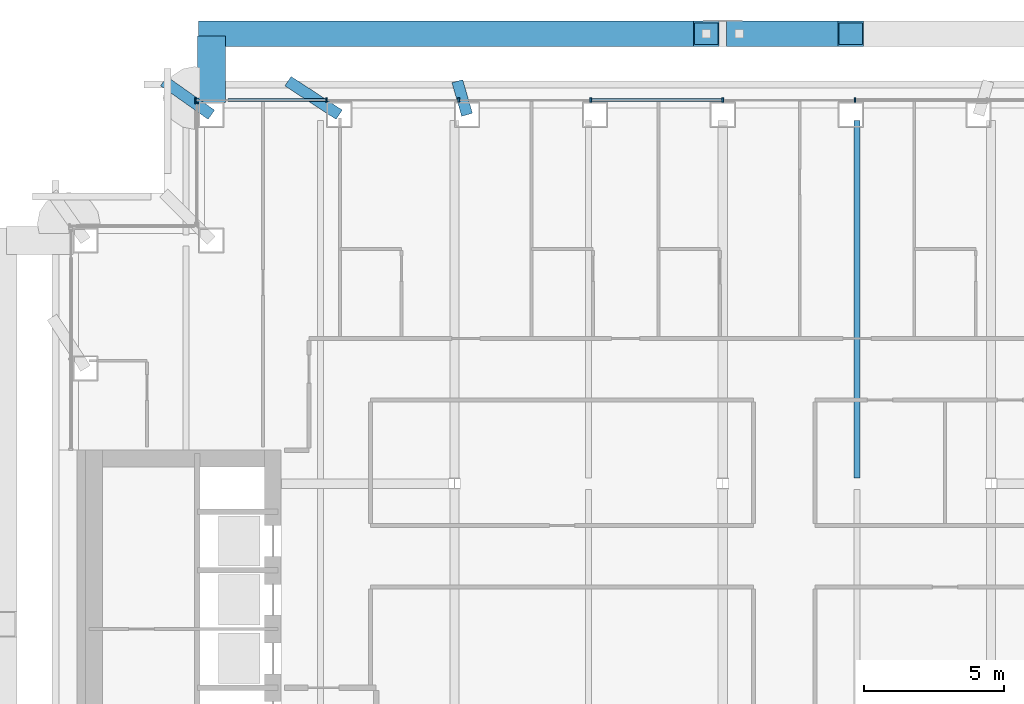
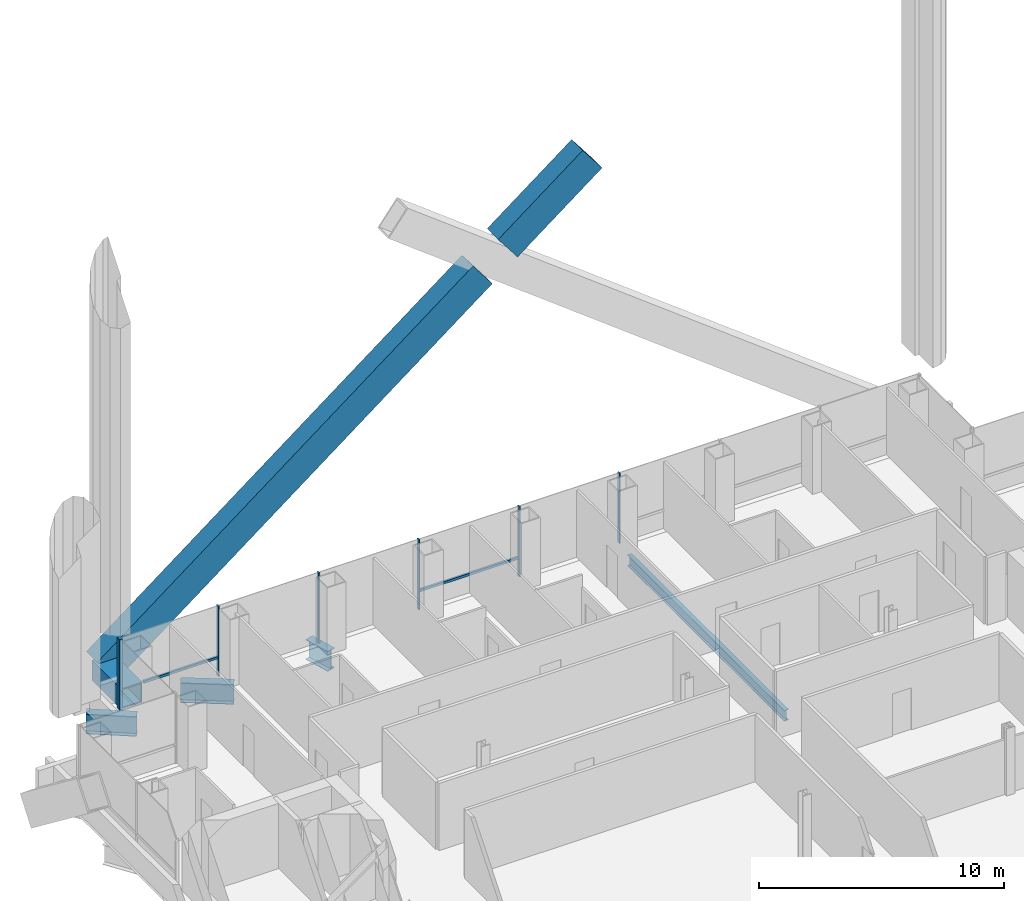
# One storey, part 8 of 22: 11 members, 5 beams, 2 elements without a shape of their own.
"""IFC4 building model written with IfcOpenShell, lengths in metres."""

from ifc_helpers import new_model, si_unit, direction, frame, origin, origin_2d, place, context, subcontext, project, spatial, rectangle, hollow_rectangle, i_section, extrude, material, material_profile, profile_set, type_object, element, aggregate, save


model = new_model("IFC4")

# Units and contexts
model_context = context("Model", 3, precision=1e-05, world=origin(), true_north=direction((0.0, 1.0)))
body_context = subcontext(model_context, "Body", "Model", "MODEL_VIEW")
ifc_project = project(units=[si_unit("LENGTHUNIT", "METRE"), si_unit("AREAUNIT", "SQUARE_METRE"), si_unit("VOLUMEUNIT", "CUBIC_METRE"), si_unit("PLANEANGLEUNIT", "RADIAN"), si_unit("MASSUNIT", "GRAM", prefix="KILO")], contexts=[model_context])

# Site, building, storey
site_placement = place(None, origin())
site = spatial("IfcSite", under=ifc_project, at=site_placement, CompositionType="ELEMENT")
building_placement = place(site_placement, origin())
building = spatial("IfcBuilding", under=site, at=building_placement, Name="Cobrizo Arcos Hotel Tower", CompositionType="ELEMENT")
storey_placement = place(building_placement, frame((0.0, 0.0, 89.0)))
storey = spatial("IfcBuildingStorey", under=building, at=storey_placement, Name="L21", CompositionType="ELEMENT", Elevation=89.0)

# Beam
ifc_material_1 = material(Name="Steel ASTM A572 Grade 50", Category="steel")
ifc_material_profile_1 = material_profile(ifc_material_1, hollow_rectangle(XDim=1.0, YDim=1.0, WallThickness=0.06005859375, at=origin_2d()), Name="BOX 1000X1000X60")
ifc_profile_set_1 = profile_set([ifc_material_profile_1], Name="Steel ASTM A572 Grade 50")
beam_type_1 = type_object("IfcBeamType", Name="BOX 1000X1000X60 brace connector strut", PredefinedType="BEAM", material=ifc_profile_set_1)
beam_1_placement = place(storey_placement, frame((-18.300048828125, 23.239990234375, 0.5), z_axis=(0.0, 1.0, 0.0), x_axis=(-1.0, 0.0, 0.0)))
element("IfcBeam", 1, at=beam_1_placement, inside=storey, type_object=beam_type_1, Name="Perimeter brace stub BS1, zone Z2, north face, offset -18.30 m, L21", PredefinedType="BEAM", context=body_context, shape_type="SweptSolid", body=[
    extrude(hollow_rectangle(XDim=1.0, YDim=1.0, WallThickness=0.06005859375, at=origin_2d()), origin(), (0.0, 0.0, 1.0), 2.380126953125),
])

# Members
ifc_material_profile_2 = material_profile(ifc_material_1, hollow_rectangle(XDim=0.89990234375, YDim=1.5, WallThickness=0.06494140625, at=origin_2d()), Name="BOX 900X1500X65")
ifc_profile_set_2 = profile_set([ifc_material_profile_2], Name="Steel ASTM A572 Grade 50")
member_type_1 = type_object("IfcMemberType", Name="BOX 900X1500X65 perimeter brace", PredefinedType="BRACE", material=ifc_profile_set_2)
member_1_placement = place(storey_placement, frame((-18.300048828125, 25.699951171875, 0.5), z_axis=(0.79423534856, 0.0, 0.607610246044), x_axis=(0.0, 1.0, 0.0)))
element("IfcMember", 2, at=member_1_placement, inside=storey, type_object=member_type_1, Name="Perimeter brace PBR2, zone Z2, north face, no. 01", PredefinedType="BRACE", context=body_context, shape_type="SweptSolid", body=[
    extrude(hollow_rectangle(XDim=0.89990234375, YDim=1.5, WallThickness=0.06494140625, at=origin_2d()), origin(), (0.0, 0.0, 1.0), 22.294189453125),
])
member_2_placement = place(storey_placement, frame((0.59326171875, 25.699951171875, 14.953857421875), z_axis=(0.794230645471, 0.0, 0.607616393619), x_axis=(0.0, 1.0, 0.0)))
element("IfcMember", 3, at=member_2_placement, inside=storey, type_object=member_type_1, Name="Perimeter brace PBR2, zone Z2, north face, no. 01b", PredefinedType="BRACE", context=body_context, shape_type="SweptSolid", body=[
    extrude(hollow_rectangle(XDim=0.89990234375, YDim=1.5, WallThickness=0.06494140625, at=origin_2d()), origin(), (0.0, 0.0, 1.0), 5.01318359375),
])

# Curtain wall, members
ifc_material_2 = material(Name="Aluminium 6063-T6 anodised bronze", Category="aluminium")
curtain_wall_type = type_object("IfcCurtainWallType", Name="CW-A guest facade", PredefinedType="NOTDEFINED", material=ifc_material_2)
curtain_wall_1_placement = place(storey_placement, origin())
curtain_wall_1 = element("IfcCurtainWall", 4, at=curtain_wall_1_placement, inside=storey, type_object=curtain_wall_type, Name="CW-A L21 N face", PredefinedType="NOTDEFINED")
ifc_material_profile_3 = material_profile(ifc_material_2, rectangle(XDim=0.14990234375, YDim=0.06005859375, at=origin_2d()), Name="CW-A mullion 150x60")
ifc_profile_set_3 = profile_set([ifc_material_profile_3], Name="Aluminium 6063-T6 anodised bronze")
member_type_2 = type_object("IfcMemberType", Name="CW-A mullion 150x60", PredefinedType="MULLION", material=ifc_profile_set_3)
member_3_placement = place(storey_placement, frame((4.72509765625, 23.324951171875, 0.0), z_axis=(0.0, 0.0, 1.0), x_axis=(0.0, 1.0, 0.0)))
member_3 = element("IfcMember", 5, at=member_3_placement, type_object=member_type_2, Name="CW-A mullion 4", PredefinedType="MULLION", context=body_context, shape_type="SweptSolid", body=[
    extrude(rectangle(XDim=0.14990234375, YDim=0.06005859375, at=origin_2d()), origin(), (0.0, 0.0, 1.0), 3.5),
])
member_4_placement = place(storey_placement, frame((0.0, 23.324951171875, 0.0), z_axis=(0.0, 0.0, 1.0), x_axis=(0.0, 1.0, 0.0)))
member_4 = element("IfcMember", 6, at=member_4_placement, type_object=member_type_2, Name="CW-A mullion 5", PredefinedType="MULLION", context=body_context, shape_type="SweptSolid", body=[
    extrude(rectangle(XDim=0.14990234375, YDim=0.06005859375, at=origin_2d()), origin(), (0.0, 0.0, 1.0), 3.5),
])
member_5_placement = place(storey_placement, frame((-4.72509765625, 23.324951171875, 0.0), z_axis=(0.0, 0.0, 1.0), x_axis=(0.0, 1.0, 0.0)))
member_5 = element("IfcMember", 7, at=member_5_placement, type_object=member_type_2, Name="CW-A mullion 6", PredefinedType="MULLION", context=body_context, shape_type="SweptSolid", body=[
    extrude(rectangle(XDim=0.14990234375, YDim=0.06005859375, at=origin_2d()), origin(), (0.0, 0.0, 1.0), 3.5),
])
member_6_placement = place(storey_placement, frame((-9.449951171875, 23.324951171875, 0.0), z_axis=(0.0, 0.0, 1.0), x_axis=(0.0, 1.0, 0.0)))
member_6 = element("IfcMember", 8, at=member_6_placement, type_object=member_type_2, Name="CW-A mullion 7", PredefinedType="MULLION", context=body_context, shape_type="SweptSolid", body=[
    extrude(rectangle(XDim=0.14990234375, YDim=0.06005859375, at=origin_2d()), origin(), (0.0, 0.0, 1.0), 3.5),
])
member_7_placement = place(storey_placement, frame((-14.175048828125, 23.324951171875, 0.0), z_axis=(0.0, 0.0, 1.0), x_axis=(0.0, 1.0, 0.0)))
member_7 = element("IfcMember", 9, at=member_7_placement, type_object=member_type_2, Name="CW-A mullion 8", PredefinedType="MULLION", context=body_context, shape_type="SweptSolid", body=[
    extrude(rectangle(XDim=0.14990234375, YDim=0.06005859375, at=origin_2d()), origin(), (0.0, 0.0, 1.0), 3.5),
])
member_8_placement = place(storey_placement, frame((-18.8701171875, 23.324951171875, 0.0), z_axis=(0.0, 0.0, 1.0), x_axis=(0.0, 1.0, 0.0)))
member_8 = element("IfcMember", 10, at=member_8_placement, type_object=member_type_2, Name="CW-A mullion 9", PredefinedType="MULLION", context=body_context, shape_type="SweptSolid", body=[
    extrude(rectangle(XDim=0.14990234375, YDim=0.06005859375, at=origin_2d()), origin(), (0.0, 0.0, 1.0), 3.5),
])

# Curtain wall, member
curtain_wall_2_placement = place(storey_placement, origin())
curtain_wall_2 = element("IfcCurtainWall", 11, at=curtain_wall_2_placement, inside=storey, type_object=curtain_wall_type, Name="CW-A L21 W face", PredefinedType="NOTDEFINED")
member_9_placement = place(storey_placement, frame((-18.824951171875, 23.219970703125, 0.0), z_axis=(0.0, 0.0, 1.0), x_axis=(-1.0, 0.0, 0.0)))
member_9 = element("IfcMember", 12, at=member_9_placement, type_object=member_type_2, Name="CW-A mullion 1", PredefinedType="MULLION", context=body_context, shape_type="SweptSolid", body=[
    extrude(rectangle(XDim=0.14990234375, YDim=0.06005859375, at=origin_2d()), origin(), (0.0, 0.0, 1.0), 3.5),
])
aggregate(curtain_wall_2, [member_9])

# Member
ifc_material_profile_4 = material_profile(ifc_material_2, rectangle(XDim=0.10009765625, YDim=0.1201171875, at=origin_2d()), Name="CW-A transom 120x100")
ifc_profile_set_4 = profile_set([ifc_material_profile_4], Name="Aluminium 6063-T6 anodised bronze")
member_type_3 = type_object("IfcMemberType", Name="CW-A transom 120x100", PredefinedType="USERDEFINED", material=ifc_profile_set_4)
member_10_placement = place(storey_placement, frame((-0.030029296875, 23.324951171875, 0.929931640625), z_axis=(-1.0, 0.0, 0.0), x_axis=(0.0, -1.0, 0.0)))
member_10 = element("IfcMember", 13, at=member_10_placement, type_object=member_type_3, Name="CW-A transom 871", ObjectType="TRANSOM", PredefinedType="USERDEFINED", context=body_context, shape_type="SweptSolid", body=[
    extrude(rectangle(XDim=0.10009765625, YDim=0.1201171875, at=origin_2d()), origin(), (0.0, 0.0, 1.0), 4.6650390625),
])

member_11_placement = place(storey_placement, frame((-14.205078125, 23.324951171875, 0.929931640625), z_axis=(-1.0, 0.0, 0.0), x_axis=(0.0, -1.0, 0.0)))
member_11 = element("IfcMember", 14, at=member_11_placement, type_object=member_type_3, Name="CW-A transom 874", ObjectType="TRANSOM", PredefinedType="USERDEFINED", context=body_context, shape_type="SweptSolid", body=[
    extrude(rectangle(XDim=0.10009765625, YDim=0.1201171875, at=origin_2d()), origin(), (0.0, 0.0, 1.0), 3.494873046875),
])

aggregate(curtain_wall_1, [member_3, member_4, member_5, member_6, member_7, member_8, member_10, member_11])

# Beams
ifc_material_3 = material(Name="Steel ASTM A992 Grade 50", Category="steel")
ifc_material_profile_5 = material_profile(ifc_material_3, i_section(OverallWidth=0.209228515625, OverallDepth=0.533447265625, WebThickness=0.01025390625, FlangeThickness=0.015625, at=origin_2d()), Name="W21X62")
ifc_profile_set_5 = profile_set([ifc_material_profile_5], Name="Steel ASTM A992 Grade 50")
beam_type_2 = type_object("IfcBeamType", Name="W21X62 joist", PredefinedType="JOIST", material=ifc_profile_set_5)
beam_2_placement = place(storey_placement, frame((4.800048828125, 9.800537109375, -0.416748046875), z_axis=(0.0, 1.0, 0.0), x_axis=(-1.0, 0.0, 0.0)))
element("IfcBeam", 15, at=beam_2_placement, inside=storey, type_object=beam_type_2, Name="Floor joist J1, L21, no. 016", PredefinedType="JOIST", context=body_context, shape_type="SweptSolid", body=[
    extrude(i_section(OverallWidth=0.209228515625, OverallDepth=0.533447265625, WebThickness=0.01025390625, FlangeThickness=0.015625, at=origin_2d()), origin(), (0.0, 0.0, 1.0), 12.799072265625),
])
ifc_material_profile_6 = material_profile(ifc_material_3, i_section(OverallWidth=0.4013671875, OverallDepth=0.990478515625, WebThickness=0.0166015625, FlangeThickness=0.025390625, at=origin_2d()), Name="W40X215")
ifc_profile_set_6 = profile_set([ifc_material_profile_6], Name="Steel ASTM A992 Grade 50")
beam_type_3 = type_object("IfcBeamType", Name="W40X215 transfer girder", PredefinedType="BEAM", material=ifc_profile_set_6)
beam_3_placement = place(storey_placement, frame((-20.0, 24.0, -0.645263671875), z_axis=(0.816971114901, -0.576678591087, 0.0), x_axis=(0.576678591087, 0.816971114901, 0.0)))
element("IfcBeam", 16, at=beam_3_placement, inside=storey, type_object=beam_type_3, Name="Setback transfer girder TG1, L21, no. 001", PredefinedType="BEAM", context=body_context, shape_type="SweptSolid", body=[
    extrude(i_section(OverallWidth=0.4013671875, OverallDepth=0.990478515625, WebThickness=0.0166015625, FlangeThickness=0.025390625, at=origin_2d()), origin(), (0.0, 0.0, 1.0), 2.080810546875),
])
beam_4_placement = place(storey_placement, frame((-15.555908203125, 24.0, -0.645263671875), z_axis=(0.836365917196, -0.548171553943, 0.0), x_axis=(0.548171553943, 0.836365917196, 0.0)))
element("IfcBeam", 17, at=beam_4_placement, inside=storey, type_object=beam_type_3, Name="Setback transfer girder TG1, L21, no. 003", PredefinedType="BEAM", context=body_context, shape_type="SweptSolid", body=[
    extrude(i_section(OverallWidth=0.4013671875, OverallDepth=0.990478515625, WebThickness=0.0166015625, FlangeThickness=0.025390625, at=origin_2d()), origin(), (0.0, 0.0, 1.0), 2.18896484375),
])
beam_5_placement = place(storey_placement, frame((-9.5, 24.0, -0.645263671875), z_axis=(0.280082500255, -0.959975933579, 0.0), x_axis=(0.959975933579, 0.280082500255, 0.0)))
element("IfcBeam", 18, at=beam_5_placement, inside=storey, type_object=beam_type_3, Name="Setback transfer girder TG1, L21, no. 005", PredefinedType="BEAM", context=body_context, shape_type="SweptSolid", body=[
    extrude(i_section(OverallWidth=0.4013671875, OverallDepth=0.990478515625, WebThickness=0.0166015625, FlangeThickness=0.025390625, at=origin_2d()), origin(), (0.0, 0.0, 1.0), 1.25),
])

save(model, "model.ifc")
